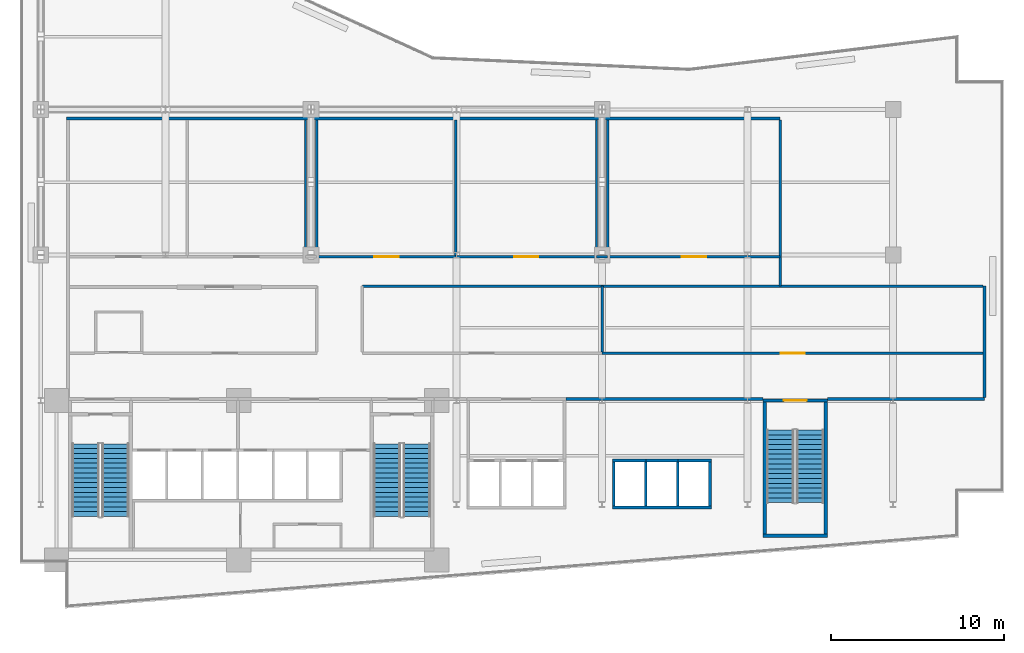
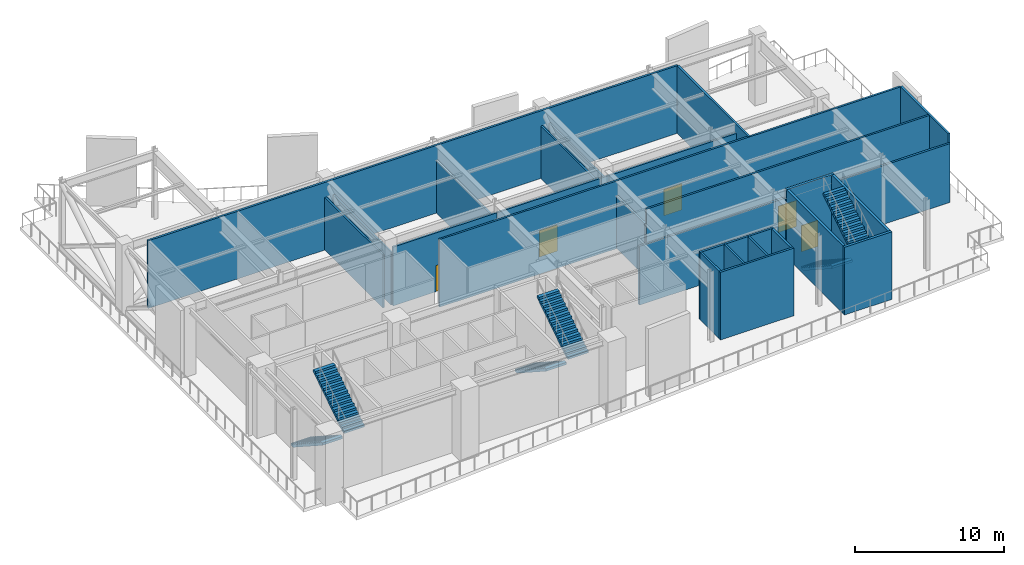
# One storey, part 8 of 14: 29 walls, 6 stair flights, 5 doors, 5 openings, 3 elements without a shape of their own.
"""IFC4 building model written with IfcOpenShell, lengths in metres."""

from ifc_helpers import new_model, si_unit, direction, frame, frame_2d, origin, place, context, subcontext, project, spatial, polyline, rectangle, outline, extrude, material, layer, layer_set, type_object, element, fill, aggregate, save


model = new_model("IFC4")

# Units and contexts
model_context = context("Model", 3, precision=1e-05, world=origin(), true_north=direction((0.0, 1.0)))
body_context = subcontext(model_context, "Body", "Model", "MODEL_VIEW")
ifc_project = project(units=[si_unit("LENGTHUNIT", "METRE"), si_unit("AREAUNIT", "SQUARE_METRE"), si_unit("VOLUMEUNIT", "CUBIC_METRE"), si_unit("PLANEANGLEUNIT", "RADIAN"), si_unit("MASSUNIT", "GRAM", prefix="KILO")], contexts=[model_context])

# Site, building, storey
site_placement = place(None, origin())
site = spatial("IfcSite", under=ifc_project, at=site_placement, CompositionType="ELEMENT")
building_placement = place(site_placement, origin())
building = spatial("IfcBuilding", under=site, at=building_placement, Name="Varnakote Quay Hospital", CompositionType="ELEMENT")
storey_placement = place(building_placement, frame((0.0, 0.0, 97.550048828125)))
storey = spatial("IfcBuildingStorey", under=building, at=storey_placement, Name="L24", CompositionType="ELEMENT", Elevation=97.550048828125)

# Wall, opening, door
ifc_material_1 = material(Name="Fire-rated acoustic gypsum stud wall", Category="gypsum")
ifc_layer_1 = layer(ifc_material_1, 0.139892578125)
ifc_layer_set_1 = layer_set([ifc_layer_1], Name="Fire-rated acoustic gypsum stud wall")
wall_type_1 = type_object("IfcWallType", Name="WL-COMP-140", PredefinedType="PARTITIONING", material=ifc_layer_set_1)
wall_1_placement = place(storey_placement, frame((17.1201171875, 20.2900390625, 0.0), z_axis=(0.0, 0.0, 1.0), x_axis=(1.0, 0.0, 0.0)))
wall_1 = element("IfcWall", 1, at=wall_1_placement, inside=storey, type_object=wall_type_1, Name="L24 Essential Standby Power Generator Plant Corridor Wall", PredefinedType="PARTITIONING", context=body_context, shape_type="SweptSolid", body=[
    extrude(rectangle(XDim=8.059814453125, YDim=0.139892578125, at=frame_2d((4.02978515625, 0.0))), origin(), (0.0, 0.0, 1.0), 4.8349609375),
])
opening_1_placement = place(wall_1_placement, frame((3.330078125, 0.0, 0.0)))
opening_1 = element("IfcOpeningElement", 2, at=opening_1_placement, cuts=wall_1, Name="Opening D-L24-STBY", PredefinedType="OPENING", context=body_context, shape_type="SweptSolid", body=[
    extrude(rectangle(XDim=1.39990234375, YDim=2.14990234375, at=frame_2d((0.699951171875, 1.074951171875))), frame((0.0, 0.079833984375, 0.0), z_axis=(0.0, -1.0, 0.0), x_axis=(1.0, 0.0, 0.0)), (0.0, 0.0, 1.0), 0.159912109375),
])
ifc_material_2 = material(Name="Fire-rated acoustic plant room door")
door_type_1 = type_object("IfcDoorType", Name="DR-PLANT-FD60-1400x2150", OperationType="NOTDEFINED", PredefinedType="DOOR", material=ifc_material_2)
door_1_placement = place(opening_1_placement, origin())
door_1 = element("IfcDoor", 3, at=door_1_placement, inside=storey, type_object=door_type_1, Name="L24 Essential Standby Power Generator Plant Door", OperationType="SINGLE_SWING_RIGHT", OverallHeight=2.14990234375, OverallWidth=1.39990234375, PredefinedType="DOOR", context=body_context, shape_type="SweptSolid", body=[
    extrude(rectangle(XDim=1.39990234375, YDim=2.14990234375, at=frame_2d((0.699951171875, 1.074951171875))), frame((0.0, 0.02490234375, 0.0), z_axis=(0.0, -1.0, 0.0), x_axis=(1.0, 0.0, 0.0)), (0.0, 0.0, 1.0), 0.050048828125),
])
fill(opening_1, door_1)

wall_2_placement = place(storey_placement, frame((25.181884765625, 20.2900390625, 0.0), z_axis=(0.0, 0.0, 1.0), x_axis=(1.0, 0.0, 0.0)))
wall_2 = element("IfcWall", 4, at=wall_2_placement, inside=storey, type_object=wall_type_1, Name="L24 Hydraulic Break Tank & Fire Pump Plant Corridor Wall", PredefinedType="PARTITIONING", context=body_context, shape_type="SweptSolid", body=[
    extrude(rectangle(XDim=8.09814453125, YDim=0.139892578125, at=frame_2d((4.049072265625, 0.0))), origin(), (0.0, 0.0, 1.0), 4.8349609375),
])
opening_2_placement = place(wall_2_placement, frame((3.337890625, 0.0, 0.0)))
opening_2 = element("IfcOpeningElement", 5, at=opening_2_placement, cuts=wall_2, Name="Opening D-L24-PUMP", PredefinedType="OPENING", context=body_context, shape_type="SweptSolid", body=[
    extrude(rectangle(XDim=1.39990234375, YDim=2.14990234375, at=frame_2d((0.699951171875, 1.074951171875))), frame((0.0, 0.079833984375, 0.0), z_axis=(0.0, -1.0, 0.0), x_axis=(1.0, 0.0, 0.0)), (0.0, 0.0, 1.0), 0.159912109375),
])
door_2_placement = place(opening_2_placement, origin())
door_2 = element("IfcDoor", 6, at=door_2_placement, inside=storey, type_object=door_type_1, Name="L24 Hydraulic Break Tank & Fire Pump Plant Door", OperationType="SINGLE_SWING_LEFT", OverallHeight=2.14990234375, OverallWidth=1.39990234375, PredefinedType="DOOR", context=body_context, shape_type="SweptSolid", body=[
    extrude(rectangle(XDim=1.39990234375, YDim=2.14990234375, at=frame_2d((0.699951171875, 1.074951171875))), frame((0.0, 0.02490234375, 0.0), z_axis=(0.0, -1.0, 0.0), x_axis=(1.0, 0.0, 0.0)), (0.0, 0.0, 1.0), 0.050048828125),
])
fill(opening_2, door_2)

# Wall
wall_3_placement = place(storey_placement, frame((33.280029296875, 20.2900390625, 0.0), z_axis=(0.0, 0.0, 1.0), x_axis=(1.0, 0.0, 0.0)))
element("IfcWall", 7, at=wall_3_placement, inside=storey, type_object=wall_type_1, Name="L24 Outrigger Bay Enclosure Wall", PredefinedType="PARTITIONING", context=body_context, shape_type="SweptSolid", body=[
    extrude(rectangle(XDim=0.639892578125, YDim=0.139892578125, at=frame_2d((0.31982421875, 0.0))), origin(), (0.0, 0.0, 1.0), 4.8349609375),
])

# Wall, opening, door
wall_4_placement = place(storey_placement, frame((33.919921875, 20.2900390625, 0.0), z_axis=(0.0, 0.0, 1.0), x_axis=(1.0, 0.0, 0.0)))
wall_4 = element("IfcWall", 8, at=wall_4_placement, inside=storey, type_object=wall_type_1, Name="L24 Essential Switchboard Plant Room Corridor Wall", PredefinedType="PARTITIONING", context=body_context, shape_type="SweptSolid", body=[
    extrude(rectangle(XDim=9.9599609375, YDim=0.139892578125, at=frame_2d((4.97998046875, 0.0))), origin(), (0.0, 0.0, 1.0), 4.8349609375),
])
opening_3_placement = place(wall_4_placement, frame((4.280029296875, 0.0, 0.0)))
opening_3 = element("IfcOpeningElement", 9, at=opening_3_placement, cuts=wall_4, Name="Opening D-L24-SWBD", PredefinedType="OPENING", context=body_context, shape_type="SweptSolid", body=[
    extrude(rectangle(XDim=1.39990234375, YDim=2.14990234375, at=frame_2d((0.699951171875, 1.074951171875))), frame((0.0, 0.079833984375, 0.0), z_axis=(0.0, -1.0, 0.0), x_axis=(1.0, 0.0, 0.0)), (0.0, 0.0, 1.0), 0.159912109375),
])
door_3_placement = place(opening_3_placement, origin())
door_3 = element("IfcDoor", 10, at=door_3_placement, inside=storey, type_object=door_type_1, Name="L24 Essential Switchboard Plant Room Door", OperationType="SINGLE_SWING_RIGHT", OverallHeight=2.14990234375, OverallWidth=1.39990234375, PredefinedType="DOOR", context=body_context, shape_type="SweptSolid", body=[
    extrude(rectangle(XDim=1.39990234375, YDim=2.14990234375, at=frame_2d((0.699951171875, 1.074951171875))), frame((0.0, 0.02490234375, 0.0), z_axis=(0.0, -1.0, 0.0), x_axis=(1.0, 0.0, 0.0)), (0.0, 0.0, 1.0), 0.050048828125),
])
fill(opening_3, door_3)

# Wall
ifc_material_3 = material(Name="Fire-rated acoustic gypsum stud wall", Category="gypsum")
ifc_layer_2 = layer(ifc_material_3, 0.14990234375)
ifc_layer_set_2 = layer_set([ifc_layer_2], Name="Fire-rated acoustic gypsum stud wall")
wall_type_2 = type_object("IfcWallType", Name="WL-COMP-150", PredefinedType="PARTITIONING", material=ifc_layer_set_2)
wall_5_placement = place(storey_placement, frame((33.60009765625, 14.81005859375, 0.0), z_axis=(0.0, 0.0, 1.0), x_axis=(0.0, 1.0, 0.0)))
element("IfcWall", 11, at=wall_5_placement, inside=storey, type_object=wall_type_2, Name="L24 East Refuge Divider Wall", PredefinedType="PARTITIONING", context=body_context, shape_type="SweptSolid", body=[
    extrude(rectangle(XDim=3.7900390625, YDim=0.14990234375, at=frame_2d((1.89501953125, 0.0))), origin(), (0.0, 0.0, 1.0), 4.324951171875),
])

# Wall, opening, door
wall_6_placement = place(storey_placement, frame((33.60009765625, 14.72998046875, 0.0), z_axis=(0.0, 0.0, 1.0), x_axis=(1.0, 0.0, 0.0)))
wall_6 = element("IfcWall", 12, at=wall_6_placement, inside=storey, type_object=wall_type_2, Name="L24 East Refuge Corridor Wall", PredefinedType="PARTITIONING", context=body_context, shape_type="SweptSolid", body=[
    extrude(rectangle(XDim=22.0, YDim=0.14990234375, at=frame_2d((11.0, 0.0))), origin(), (0.0, 0.0, 1.0), 5.56005859375),
])
opening_4_placement = place(wall_6_placement, frame((10.300048828125, 0.0, 0.0)))
opening_4 = element("IfcOpeningElement", 13, at=opening_4_placement, cuts=wall_6, Name="Opening D-REF3-L24", PredefinedType="OPENING", context=body_context, shape_type="SweptSolid", body=[
    extrude(rectangle(XDim=1.39990234375, YDim=2.14990234375, at=frame_2d((0.699951171875, 1.074951171875))), frame((0.0, 0.0849609375, 0.0), z_axis=(0.0, -1.0, 0.0), x_axis=(1.0, 0.0, 0.0)), (0.0, 0.0, 1.0), 0.169921875),
])
door_4_placement = place(opening_4_placement, origin())
door_4 = element("IfcDoor", 14, at=door_4_placement, inside=storey, type_object=door_type_1, Name="L24 Fire Refuge Holding Area East Door", OperationType="SINGLE_SWING_LEFT", OverallHeight=2.14990234375, OverallWidth=1.39990234375, PredefinedType="DOOR", context=body_context, shape_type="SweptSolid", body=[
    extrude(rectangle(XDim=1.39990234375, YDim=2.14990234375, at=frame_2d((0.699951171875, 1.074951171875))), frame((0.0, 0.02490234375, 0.0), z_axis=(0.0, -1.0, 0.0), x_axis=(1.0, 0.0, 0.0)), (0.0, 0.0, 1.0), 0.050048828125),
])
fill(opening_4, door_4)

# Walls
wall_7_placement = place(storey_placement, frame((19.760009765625, 18.60009765625, 0.0), z_axis=(0.0, 0.0, 1.0), x_axis=(1.0, 0.0, 0.0)))
element("IfcWall", 15, at=wall_7_placement, inside=storey, type_object=wall_type_2, Name="L24 East Refuge North Wall", PredefinedType="PARTITIONING", context=body_context, shape_type="SweptSolid", body=[
    extrude(rectangle(XDim=35.840087890625, YDim=0.14990234375, at=frame_2d((17.919921875, 0.0))), origin(), (0.0, 0.0, 1.0), 5.56005859375),
])
ifc_material_4 = material(Name="Fire-rated acoustic gypsum stud wall", Category="gypsum")
ifc_layer_3 = layer(ifc_material_4, 0.159912109375)
ifc_layer_set_3 = layer_set([ifc_layer_3], Name="Fire-rated acoustic gypsum stud wall")
wall_type_3 = type_object("IfcWallType", Name="WL-COMP-160", PredefinedType="PARTITIONING", material=ifc_layer_set_3)
wall_8_placement = place(storey_placement, frame((2.68994140625, 28.280029296875, 0.0), z_axis=(0.0, 0.0, 1.0), x_axis=(1.0, 0.0, 0.0)))
element("IfcWall", 16, at=wall_8_placement, inside=storey, type_object=wall_type_3, Name="L24 Plant Block North Enclosure Wall", PredefinedType="PARTITIONING", context=body_context, shape_type="SweptSolid", body=[
    extrude(rectangle(XDim=41.18994140625, YDim=0.159912109375, at=frame_2d((20.594970703125, 0.0))), origin(), (0.0, 0.0, 1.0), 5.56005859375),
])
wall_9_placement = place(storey_placement, frame((43.8798828125, 18.60009765625, 0.0), z_axis=(0.0, 0.0, 1.0), x_axis=(0.0, 1.0, 0.0)))
element("IfcWall", 17, at=wall_9_placement, inside=storey, type_object=wall_type_3, Name="L24 Plant Block East Enclosure Wall", PredefinedType="PARTITIONING", context=body_context, shape_type="SweptSolid", body=[
    extrude(rectangle(XDim=9.599853515625, YDim=0.159912109375, at=frame_2d((4.7998046875, 0.0))), origin(), (0.0, 0.0, 1.0), 5.56005859375),
])
wall_10_placement = place(storey_placement, frame((55.679931640625, 12.159912109375, 0.0), z_axis=(0.0, 0.0, 1.0), x_axis=(0.0, 1.0, 0.0)))
element("IfcWall", 18, at=wall_10_placement, inside=storey, type_object=wall_type_3, Name="L24 Refuge & Plant East End Wall", PredefinedType="PARTITIONING", context=body_context, shape_type="SweptSolid", body=[
    extrude(rectangle(XDim=6.440185546875, YDim=0.159912109375, at=frame_2d((3.22021484375, 0.0))), origin(), (0.0, 0.0, 1.0), 5.56005859375),
])
wall_11_placement = place(storey_placement, frame((31.52001953125, 12.080078125, 0.0), z_axis=(0.0, 0.0, 1.0), x_axis=(1.0, 0.0, 0.0)))
element("IfcWall", 19, at=wall_11_placement, inside=storey, type_object=wall_type_3, Name="L24 Plant Corridor Mid Gap Wall", PredefinedType="PARTITIONING", context=body_context, shape_type="SweptSolid", body=[
    extrude(rectangle(XDim=11.35986328125, YDim=0.159912109375, at=frame_2d((5.679931640625, 0.0))), origin(), (0.0, 0.0, 1.0), 4.8349609375),
])
wall_12_placement = place(storey_placement, frame((46.6201171875, 12.080078125, 0.0), z_axis=(0.0, 0.0, 1.0), x_axis=(1.0, 0.0, 0.0)))
element("IfcWall", 20, at=wall_12_placement, inside=storey, type_object=wall_type_3, Name="L24 Plant Corridor East Gap Wall", PredefinedType="PARTITIONING", context=body_context, shape_type="SweptSolid", body=[
    extrude(rectangle(XDim=9.059814453125, YDim=0.159912109375, at=frame_2d((4.52978515625, 0.0))), origin(), (0.0, 0.0, 1.0), 4.8349609375),
])
ifc_material_5 = material(Name="Concrete N50 (f'c 50 MPa)", Category="concrete")
ifc_layer_4 = layer(ifc_material_5, 0.14990234375)
ifc_layer_set_4 = layer_set([ifc_layer_4], Name="Concrete N50 (f'c 50 MPa)")
wall_type_4 = type_object("IfcWallType", Name="WL-SHAFT-N50-150", PredefinedType="SHEAR", material=ifc_layer_set_4)
for number, where, z_axis, x_axis, name in (
    (21, (36.125, 5.89990234375, 0.0), (0.0, 0.0, 1.0), (0.0, 1.0, 0.0), "L24 LF-PM1 Hoistway Divider Wall"),
    (22, (37.97509765625, 5.89990234375, 0.0), (0.0, 0.0, 1.0), (0.0, 1.0, 0.0), "L24 LF-PM2 Hoistway Divider Wall"),
):
    element("IfcWall", number, at=place(storey_placement, frame(where, z_axis=z_axis, x_axis=x_axis)), inside=storey, type_object=wall_type_4, Name=name, PredefinedType="SHEAR", context=body_context, shape_type="SweptSolid", body=[
        extrude(rectangle(XDim=2.550048828125, YDim=0.14990234375, at=frame_2d((1.27490234375, 0.0))), origin(), (0.0, 0.0, 1.0), 5.56005859375),
    ])
ifc_material_6 = material(Name="Concrete N50 (f'c 50 MPa)", Category="concrete")
ifc_layer_5 = layer(ifc_material_6, 0.159912109375)
ifc_layer_set_5 = layer_set([ifc_layer_5], Name="Concrete N50 (f'c 50 MPa)")
wall_type_5 = type_object("IfcWallType", Name="WL-SHAFT-N50-160", PredefinedType="SHEAR", material=ifc_layer_set_5)
wall_13_placement = place(storey_placement, frame((34.18994140625, 5.820068359375, 0.0), z_axis=(0.0, 0.0, 1.0), x_axis=(1.0, 0.0, 0.0)))
element("IfcWall", 23, at=wall_13_placement, inside=storey, type_object=wall_type_5, Name="L24 MID Lift Bank Back Shear Wall", PredefinedType="SHEAR", context=body_context, shape_type="SweptSolid", body=[
    extrude(rectangle(XDim=5.719970703125, YDim=0.159912109375, at=frame_2d((2.85986328125, 0.0))), origin(), (0.0, 0.0, 1.0), 5.56005859375),
])
for number, where, z_axis, x_axis, name in (
    (24, (34.27001953125, 5.89990234375, 0.0), (0.0, 0.0, 1.0), (0.0, 1.0, 0.0), "L24 MID Lift Bank West Shear Wall"),
    (25, (39.830078125, 5.89990234375, 0.0), (0.0, 0.0, 1.0), (0.0, 1.0, 0.0), "L24 MID Lift Bank East Shear Wall"),
):
    element("IfcWall", number, at=place(storey_placement, frame(where, z_axis=z_axis, x_axis=x_axis)), inside=storey, type_object=wall_type_5, Name=name, PredefinedType="SHEAR", context=body_context, shape_type="SweptSolid", body=[
        extrude(rectangle(XDim=2.550048828125, YDim=0.159912109375, at=frame_2d((1.27490234375, 0.0))), origin(), (0.0, 0.0, 1.0), 5.56005859375),
    ])
wall_14_placement = place(storey_placement, frame((34.18994140625, 8.530029296875, 0.0), z_axis=(0.0, 0.0, 1.0), x_axis=(1.0, 0.0, 0.0)))
element("IfcWall", 26, at=wall_14_placement, inside=storey, type_object=wall_type_5, Name="L24 LF-PM1 Hoistway Front Wall", PredefinedType="SHEAR", context=body_context, shape_type="SweptSolid", body=[
    extrude(rectangle(XDim=1.93505859375, YDim=0.159912109375, at=frame_2d((0.967529296875, 0.0))), origin(), (0.0, 0.0, 1.0), 5.56005859375),
])
wall_15_placement = place(storey_placement, frame((36.125, 8.530029296875, 0.0), z_axis=(0.0, 0.0, 1.0), x_axis=(1.0, 0.0, 0.0)))
element("IfcWall", 27, at=wall_15_placement, inside=storey, type_object=wall_type_5, Name="L24 LF-PM2 Hoistway Front Wall", PredefinedType="SHEAR", context=body_context, shape_type="SweptSolid", body=[
    extrude(rectangle(XDim=1.85009765625, YDim=0.159912109375, at=frame_2d((0.925048828125, 0.0))), origin(), (0.0, 0.0, 1.0), 5.56005859375),
])
wall_16_placement = place(storey_placement, frame((37.97509765625, 8.530029296875, 0.0), z_axis=(0.0, 0.0, 1.0), x_axis=(1.0, 0.0, 0.0)))
element("IfcWall", 28, at=wall_16_placement, inside=storey, type_object=wall_type_5, Name="L24 LF-PM3 Hoistway Front Wall", PredefinedType="SHEAR", context=body_context, shape_type="SweptSolid", body=[
    extrude(rectangle(XDim=1.934814453125, YDim=0.159912109375, at=frame_2d((0.96728515625, 0.0))), origin(), (0.0, 0.0, 1.0), 5.56005859375),
])
ifc_material_7 = material(Name="Concrete N50 (f'c 50 MPa)", Category="concrete")
ifc_layer_6 = layer(ifc_material_7, 0.199951171875)
ifc_layer_set_6 = layer_set([ifc_layer_6], Name="Concrete N50 (f'c 50 MPa)")
wall_type_6 = type_object("IfcWallType", Name="WL-SHAFT-N50-200", PredefinedType="SHEAR", material=ifc_layer_set_6)
wall_17_placement = place(storey_placement, frame((42.89990234375, 4.199951171875, 0.0), z_axis=(0.0, 0.0, 1.0), x_axis=(1.0, 0.0, 0.0)))
element("IfcWall", 29, at=wall_17_placement, inside=storey, type_object=wall_type_6, Name="L24 Stair ST3 South Shaft Wall", PredefinedType="SHEAR", context=body_context, shape_type="SweptSolid", body=[
    extrude(rectangle(XDim=3.7001953125, YDim=0.199951171875, at=frame_2d((1.85009765625, 0.0))), origin(), (0.0, 0.0, 1.0), 5.56005859375),
])
for number, where, z_axis, x_axis, name in (
    (30, (43.0, 4.300048828125, 0.0), (0.0, 0.0, 1.0), (0.0, 1.0, 0.0), "L24 Stair ST3 West Shaft Wall"),
    (31, (46.5, 4.300048828125, 0.0), (0.0, 0.0, 1.0), (0.0, 1.0, 0.0), "L24 Stair ST3 East Shaft Wall"),
):
    element("IfcWall", number, at=place(storey_placement, frame(where, z_axis=z_axis, x_axis=x_axis)), inside=storey, type_object=wall_type_6, Name=name, PredefinedType="SHEAR", context=body_context, shape_type="SweptSolid", body=[
        extrude(rectangle(XDim=7.599853515625, YDim=0.199951171875, at=frame_2d((3.7998046875, 0.0))), origin(), (0.0, 0.0, 1.0), 5.56005859375),
    ])

# Wall, opening, door
wall_18_placement = place(storey_placement, frame((42.89990234375, 12.0, 0.0), z_axis=(0.0, 0.0, 1.0), x_axis=(1.0, 0.0, 0.0)))
wall_18 = element("IfcWall", 32, at=wall_18_placement, inside=storey, type_object=wall_type_6, Name="L24 Stair ST3 Exit Wall", PredefinedType="SHEAR", context=body_context, shape_type="SweptSolid", body=[
    extrude(rectangle(XDim=3.7001953125, YDim=0.199951171875, at=frame_2d((1.85009765625, 0.0))), origin(), (0.0, 0.0, 1.0), 5.56005859375),
])
opening_5_placement = place(wall_18_placement, frame((1.199951171875, 0.0, 0.0)))
opening_5 = element("IfcOpeningElement", 33, at=opening_5_placement, cuts=wall_18, Name="Opening D-ST3-L24", PredefinedType="OPENING", context=body_context, shape_type="SweptSolid", body=[
    extrude(rectangle(XDim=1.300048828125, YDim=2.14990234375, at=frame_2d((0.64990234375, 1.074951171875))), frame((0.0, 0.10986328125, 0.0), z_axis=(0.0, -1.0, 0.0), x_axis=(1.0, 0.0, 0.0)), (0.0, 0.0, 1.0), 0.219970703125),
])
ifc_material_8 = material(Name="Fire-rated ceramic-glazed timber exit door", Category="wood")
door_type_2 = type_object("IfcDoorType", Name="DR-STAIR-FD60S-1300x2150", OperationType="NOTDEFINED", PredefinedType="DOOR", material=ifc_material_8)
door_5_placement = place(opening_5_placement, origin())
door_5 = element("IfcDoor", 34, at=door_5_placement, inside=storey, type_object=door_type_2, Name="L24 Stair ST3 Fire Exit Door", OperationType="SINGLE_SWING_RIGHT", OverallHeight=2.14990234375, OverallWidth=1.300048828125, PredefinedType="DOOR", context=body_context, shape_type="SweptSolid", body=[
    extrude(rectangle(XDim=1.300048828125, YDim=2.14990234375, at=frame_2d((0.64990234375, 1.074951171875))), frame((0.0, 0.02490234375, 0.0), z_axis=(0.0, -1.0, 0.0), x_axis=(1.0, 0.0, 0.0)), (0.0, 0.0, 1.0), 0.050048828125),
])
fill(opening_5, door_5)

# Walls
ifc_material_9 = material(Name="Smoke-proof clinical partition", Category="gypsum")
ifc_layer_7 = layer(ifc_material_9, 0.135009765625)
ifc_layer_set_7 = layer_set([ifc_layer_7], Name="Smoke-proof clinical partition")
wall_type_7 = type_object("IfcWallType", Name="WL-SMOKE-135", PredefinedType="PARTITIONING", material=ifc_layer_set_7)
for number, where, z_axis, x_axis, name in (
    (35, (16.47998046875, 20.360107421875, 0.0), (0.0, 0.0, 1.0), (0.0, 1.0, 0.0), "L24 Clinical Air Handling Mechanical Plant East Wall"),
    (36, (17.1201171875, 20.360107421875, 0.0), (0.0, 0.0, 1.0), (0.0, 1.0, 0.0), "L24 Essential Standby Power Generator Plant West Wall"),
    (37, (25.159912109375, 20.360107421875, 0.0), (0.0, 0.0, 1.0), (0.0, 1.0, 0.0), "L24 Hydraulic Break Tank & Fire Pump Plant West Wall"),
    (38, (33.280029296875, 20.360107421875, 0.0), (0.0, 0.0, 1.0), (0.0, 1.0, 0.0), "L24 Hydraulic Break Tank & Fire Pump Plant East Wall"),
    (39, (33.919921875, 20.360107421875, 0.0), (0.0, 0.0, 1.0), (0.0, 1.0, 0.0), "L24 Essential Switchboard Plant Room West Wall"),
):
    element("IfcWall", number, at=place(storey_placement, frame(where, z_axis=z_axis, x_axis=x_axis)), inside=storey, type_object=wall_type_7, Name=name, PredefinedType="PARTITIONING", context=body_context, shape_type="SweptSolid", body=[
        extrude(rectangle(XDim=7.83984375, YDim=0.135009765625, at=frame_2d((3.919921875, 0.0))), origin(), (0.0, 0.0, 1.0), 4.324951171875),
    ])

# Stair, stair flights
ifc_material_10 = material(Name="Concrete N40 (f'c 40 MPa)", Category="concrete")
stair_type = type_object("IfcStairType", Name="STR-CORE-1580", PredefinedType="HALF_TURN_STAIR", material=ifc_material_10)
stair_1_placement = place(storey_placement, origin())
stair_1 = element("IfcStair", 40, at=stair_1_placement, inside=storey, type_object=stair_type, Name="L24 Fire-Isolated Exit Stair ST-01", PredefinedType="HALF_TURN_STAIR")
ifc_material_11 = material(Name="Concrete N40 (f'c 40 MPa)", Category="concrete")
ifc_layer_8 = layer(ifc_material_11, 0.159912109375)
ifc_layer_set_8 = layer_set([ifc_layer_8], Name="Concrete N40 (f'c 40 MPa)")
stair_flight_type = type_object("IfcStairFlightType", Name="FLT-CORE-1580", PredefinedType="STRAIGHT", material=ifc_layer_set_8)
stair_flight_1_placement = place(storey_placement, frame((3.7900390625, 9.5, 0.0), z_axis=(0.0, 0.0, 1.0), x_axis=(0.0, -1.0, 0.0)))
stair_flight_1 = element("IfcStairFlight", 41, at=stair_flight_1_placement, type_object=stair_flight_type, Name="ST-01 flight 1", NumberOfRisers=16, NumberOfTreads=15, PredefinedType="STRAIGHT", RiserHeight=0.18125, TreadLength=0.28, context=body_context, shape_type="SweptSolid", body=[
    extrude(outline(polyline([(0.0, 0.0), (0.0, 0.18115234375), (0.280029296875, 0.18115234375), (0.280029296875, 0.362548828125), (0.56005859375, 0.362548828125), (0.56005859375, 0.543701171875), (0.840087890625, 0.543701171875), (0.840087890625, 0.72509765625), (1.1201171875, 0.72509765625), (1.1201171875, 0.90625), (1.39990234375, 0.90625), (1.39990234375, 1.08740234375), (1.679931640625, 1.08740234375), (1.679931640625, 1.268798828125), (1.9599609375, 1.268798828125), (1.9599609375, 1.449951171875), (2.239990234375, 1.449951171875), (2.239990234375, 1.63134765625), (2.52001953125, 1.63134765625), (2.52001953125, 1.8125), (2.800048828125, 1.8125), (2.800048828125, 1.99365234375), (3.080078125, 1.99365234375), (3.080078125, 2.175048828125), (3.360107421875, 2.175048828125), (3.360107421875, 2.356201171875), (3.639892578125, 2.356201171875), (3.639892578125, 2.53759765625), (3.919921875, 2.53759765625), (3.919921875, 2.71875), (4.199951171875, 2.71875), (4.199951171875, 2.89990234375), (4.199951171875, 2.5283203125), (0.294189453125, 0.0), (0.0, 0.0)])), frame((0.0, 0.7900390625, 0.0), z_axis=(0.0, -1.0, 0.0), x_axis=(1.0, 0.0, 0.0)), (0.0, 0.0, 1.0), 1.580078125),
])
stair_flight_2_placement = place(storey_placement, frame((5.510009765625, 5.300048828125, 2.89990234375), z_axis=(0.0, 0.0, 1.0), x_axis=(0.0, 1.0, 0.0)))
stair_flight_2 = element("IfcStairFlight", 42, at=stair_flight_2_placement, type_object=stair_flight_type, Name="ST-01 flight 2", NumberOfRisers=16, NumberOfTreads=15, PredefinedType="STRAIGHT", RiserHeight=0.18125, TreadLength=0.28, context=body_context, shape_type="SweptSolid", body=[
    extrude(outline(polyline([(0.0, 0.0), (0.0, 0.18115234375), (0.280029296875, 0.18115234375), (0.280029296875, 0.362548828125), (0.56005859375, 0.362548828125), (0.56005859375, 0.543701171875), (0.840087890625, 0.543701171875), (0.840087890625, 0.72509765625), (1.1201171875, 0.72509765625), (1.1201171875, 0.90625), (1.39990234375, 0.90625), (1.39990234375, 1.08740234375), (1.679931640625, 1.08740234375), (1.679931640625, 1.268798828125), (1.9599609375, 1.268798828125), (1.9599609375, 1.449951171875), (2.239990234375, 1.449951171875), (2.239990234375, 1.63134765625), (2.52001953125, 1.63134765625), (2.52001953125, 1.8125), (2.800048828125, 1.8125), (2.800048828125, 1.99365234375), (3.080078125, 1.99365234375), (3.080078125, 2.175048828125), (3.360107421875, 2.175048828125), (3.360107421875, 2.356201171875), (3.639892578125, 2.356201171875), (3.639892578125, 2.53759765625), (3.919921875, 2.53759765625), (3.919921875, 2.71875), (4.199951171875, 2.71875), (4.199951171875, 2.89990234375), (4.199951171875, 2.5283203125), (0.294189453125, 0.0), (0.0, 0.0)])), frame((0.0, 0.7900390625, 0.0), z_axis=(0.0, -1.0, 0.0), x_axis=(1.0, 0.0, 0.0)), (0.0, 0.0, 1.0), 1.580078125),
])
aggregate(stair_1, [stair_flight_1, stair_flight_2])

stair_2_placement = place(storey_placement, origin())
stair_2 = element("IfcStair", 43, at=stair_2_placement, inside=storey, type_object=stair_type, Name="L24 Fire-Isolated Exit Stair ST-02", PredefinedType="HALF_TURN_STAIR")
stair_flight_3_placement = place(storey_placement, frame((21.18994140625, 9.5, 0.0), z_axis=(0.0, 0.0, 1.0), x_axis=(0.0, -1.0, 0.0)))
stair_flight_3 = element("IfcStairFlight", 44, at=stair_flight_3_placement, type_object=stair_flight_type, Name="ST-02 flight 1", NumberOfRisers=16, NumberOfTreads=15, PredefinedType="STRAIGHT", RiserHeight=0.18125, TreadLength=0.28, context=body_context, shape_type="SweptSolid", body=[
    extrude(outline(polyline([(0.0, 0.0), (0.0, 0.18115234375), (0.280029296875, 0.18115234375), (0.280029296875, 0.362548828125), (0.56005859375, 0.362548828125), (0.56005859375, 0.543701171875), (0.840087890625, 0.543701171875), (0.840087890625, 0.72509765625), (1.1201171875, 0.72509765625), (1.1201171875, 0.90625), (1.39990234375, 0.90625), (1.39990234375, 1.08740234375), (1.679931640625, 1.08740234375), (1.679931640625, 1.268798828125), (1.9599609375, 1.268798828125), (1.9599609375, 1.449951171875), (2.239990234375, 1.449951171875), (2.239990234375, 1.63134765625), (2.52001953125, 1.63134765625), (2.52001953125, 1.8125), (2.800048828125, 1.8125), (2.800048828125, 1.99365234375), (3.080078125, 1.99365234375), (3.080078125, 2.175048828125), (3.360107421875, 2.175048828125), (3.360107421875, 2.356201171875), (3.639892578125, 2.356201171875), (3.639892578125, 2.53759765625), (3.919921875, 2.53759765625), (3.919921875, 2.71875), (4.199951171875, 2.71875), (4.199951171875, 2.89990234375), (4.199951171875, 2.5283203125), (0.294189453125, 0.0), (0.0, 0.0)])), frame((0.0, 0.7900390625, 0.0), z_axis=(0.0, -1.0, 0.0), x_axis=(1.0, 0.0, 0.0)), (0.0, 0.0, 1.0), 1.580078125),
])
stair_flight_4_placement = place(storey_placement, frame((22.909912109375, 5.300048828125, 2.89990234375), z_axis=(0.0, 0.0, 1.0), x_axis=(0.0, 1.0, 0.0)))
stair_flight_4 = element("IfcStairFlight", 45, at=stair_flight_4_placement, type_object=stair_flight_type, Name="ST-02 flight 2", NumberOfRisers=16, NumberOfTreads=15, PredefinedType="STRAIGHT", RiserHeight=0.18125, TreadLength=0.28, context=body_context, shape_type="SweptSolid", body=[
    extrude(outline(polyline([(0.0, 0.0), (0.0, 0.18115234375), (0.280029296875, 0.18115234375), (0.280029296875, 0.362548828125), (0.56005859375, 0.362548828125), (0.56005859375, 0.543701171875), (0.840087890625, 0.543701171875), (0.840087890625, 0.72509765625), (1.1201171875, 0.72509765625), (1.1201171875, 0.90625), (1.39990234375, 0.90625), (1.39990234375, 1.08740234375), (1.679931640625, 1.08740234375), (1.679931640625, 1.268798828125), (1.9599609375, 1.268798828125), (1.9599609375, 1.449951171875), (2.239990234375, 1.449951171875), (2.239990234375, 1.63134765625), (2.52001953125, 1.63134765625), (2.52001953125, 1.8125), (2.800048828125, 1.8125), (2.800048828125, 1.99365234375), (3.080078125, 1.99365234375), (3.080078125, 2.175048828125), (3.360107421875, 2.175048828125), (3.360107421875, 2.356201171875), (3.639892578125, 2.356201171875), (3.639892578125, 2.53759765625), (3.919921875, 2.53759765625), (3.919921875, 2.71875), (4.199951171875, 2.71875), (4.199951171875, 2.89990234375), (4.199951171875, 2.5283203125), (0.294189453125, 0.0), (0.0, 0.0)])), frame((0.0, 0.7900390625, 0.0), z_axis=(0.0, -1.0, 0.0), x_axis=(1.0, 0.0, 0.0)), (0.0, 0.0, 1.0), 1.580078125),
])
aggregate(stair_2, [stair_flight_3, stair_flight_4])

stair_3_placement = place(storey_placement, origin())
stair_3 = element("IfcStair", 46, at=stair_3_placement, inside=storey, type_object=stair_type, Name="L24 Fire-Isolated Exit Stair ST-03", PredefinedType="HALF_TURN_STAIR")
stair_flight_5_placement = place(storey_placement, frame((43.889892578125, 10.300048828125, 0.0), z_axis=(0.0, 0.0, 1.0), x_axis=(0.0, -1.0, 0.0)))
stair_flight_5 = element("IfcStairFlight", 47, at=stair_flight_5_placement, type_object=stair_flight_type, Name="ST-03 flight 1", NumberOfRisers=16, NumberOfTreads=15, PredefinedType="STRAIGHT", RiserHeight=0.18125, TreadLength=0.28, context=body_context, shape_type="SweptSolid", body=[
    extrude(outline(polyline([(0.0, 0.0), (0.0, 0.18115234375), (0.280029296875, 0.18115234375), (0.280029296875, 0.362548828125), (0.56005859375, 0.362548828125), (0.56005859375, 0.543701171875), (0.840087890625, 0.543701171875), (0.840087890625, 0.72509765625), (1.1201171875, 0.72509765625), (1.1201171875, 0.90625), (1.39990234375, 0.90625), (1.39990234375, 1.08740234375), (1.679931640625, 1.08740234375), (1.679931640625, 1.268798828125), (1.9599609375, 1.268798828125), (1.9599609375, 1.449951171875), (2.239990234375, 1.449951171875), (2.239990234375, 1.63134765625), (2.52001953125, 1.63134765625), (2.52001953125, 1.8125), (2.800048828125, 1.8125), (2.800048828125, 1.99365234375), (3.080078125, 1.99365234375), (3.080078125, 2.175048828125), (3.360107421875, 2.175048828125), (3.360107421875, 2.356201171875), (3.639892578125, 2.356201171875), (3.639892578125, 2.53759765625), (3.919921875, 2.53759765625), (3.919921875, 2.71875), (4.199951171875, 2.71875), (4.199951171875, 2.89990234375), (4.199951171875, 2.5283203125), (0.294189453125, 0.0), (0.0, 0.0)])), frame((0.0, 0.7900390625, 0.0), z_axis=(0.0, -1.0, 0.0), x_axis=(1.0, 0.0, 0.0)), (0.0, 0.0, 1.0), 1.580078125),
])
stair_flight_6_placement = place(storey_placement, frame((45.610107421875, 6.10009765625, 2.89990234375), z_axis=(0.0, 0.0, 1.0), x_axis=(0.0, 1.0, 0.0)))
stair_flight_6 = element("IfcStairFlight", 48, at=stair_flight_6_placement, type_object=stair_flight_type, Name="ST-03 flight 2", NumberOfRisers=16, NumberOfTreads=15, PredefinedType="STRAIGHT", RiserHeight=0.18125, TreadLength=0.28, context=body_context, shape_type="SweptSolid", body=[
    extrude(outline(polyline([(0.0, 0.0), (0.0, 0.18115234375), (0.280029296875, 0.18115234375), (0.280029296875, 0.362548828125), (0.56005859375, 0.362548828125), (0.56005859375, 0.543701171875), (0.840087890625, 0.543701171875), (0.840087890625, 0.72509765625), (1.1201171875, 0.72509765625), (1.1201171875, 0.90625), (1.39990234375, 0.90625), (1.39990234375, 1.08740234375), (1.679931640625, 1.08740234375), (1.679931640625, 1.268798828125), (1.9599609375, 1.268798828125), (1.9599609375, 1.449951171875), (2.239990234375, 1.449951171875), (2.239990234375, 1.63134765625), (2.52001953125, 1.63134765625), (2.52001953125, 1.8125), (2.800048828125, 1.8125), (2.800048828125, 1.99365234375), (3.080078125, 1.99365234375), (3.080078125, 2.175048828125), (3.360107421875, 2.175048828125), (3.360107421875, 2.356201171875), (3.639892578125, 2.356201171875), (3.639892578125, 2.53759765625), (3.919921875, 2.53759765625), (3.919921875, 2.71875), (4.199951171875, 2.71875), (4.199951171875, 2.89990234375), (4.199951171875, 2.5283203125), (0.294189453125, 0.0), (0.0, 0.0)])), frame((0.0, 0.7900390625, 0.0), z_axis=(0.0, -1.0, 0.0), x_axis=(1.0, 0.0, 0.0)), (0.0, 0.0, 1.0), 1.580078125),
])
aggregate(stair_3, [stair_flight_5, stair_flight_6])

save(model, "model.ifc")
